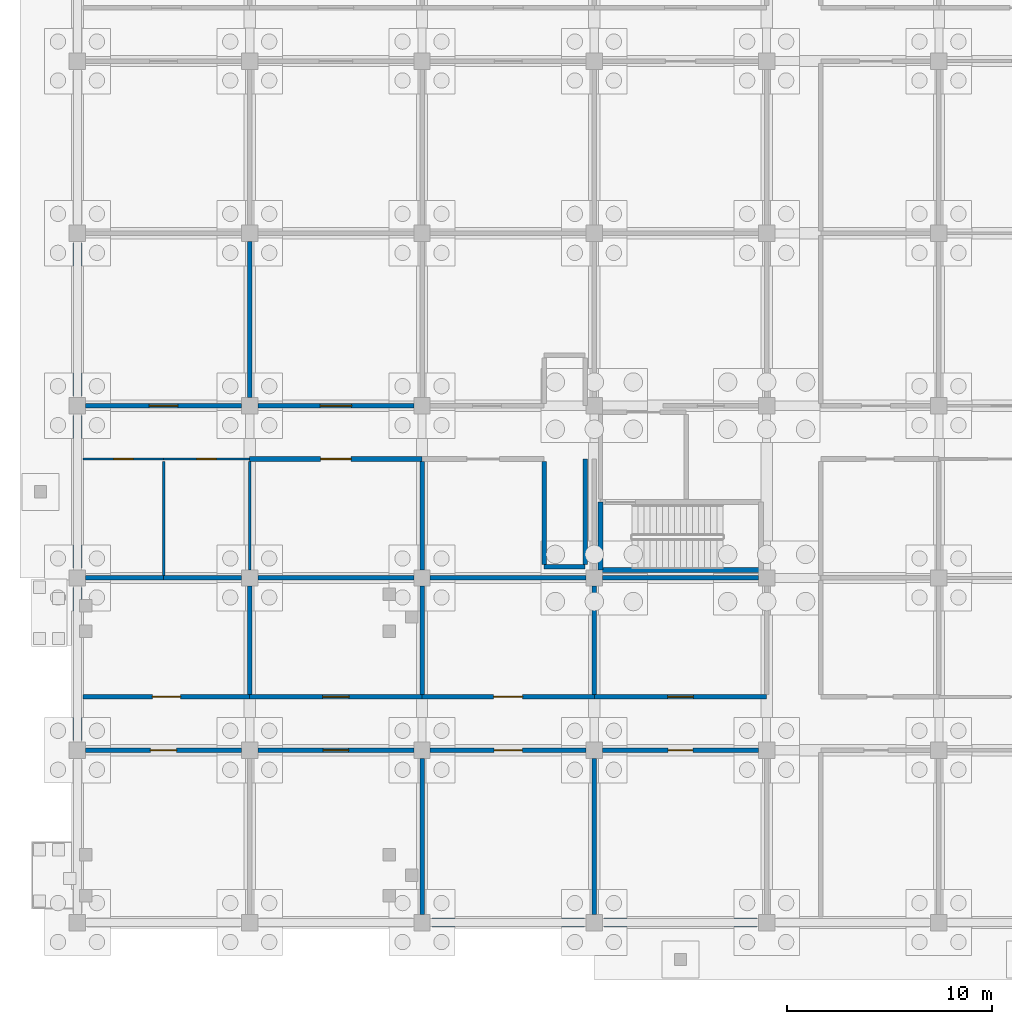
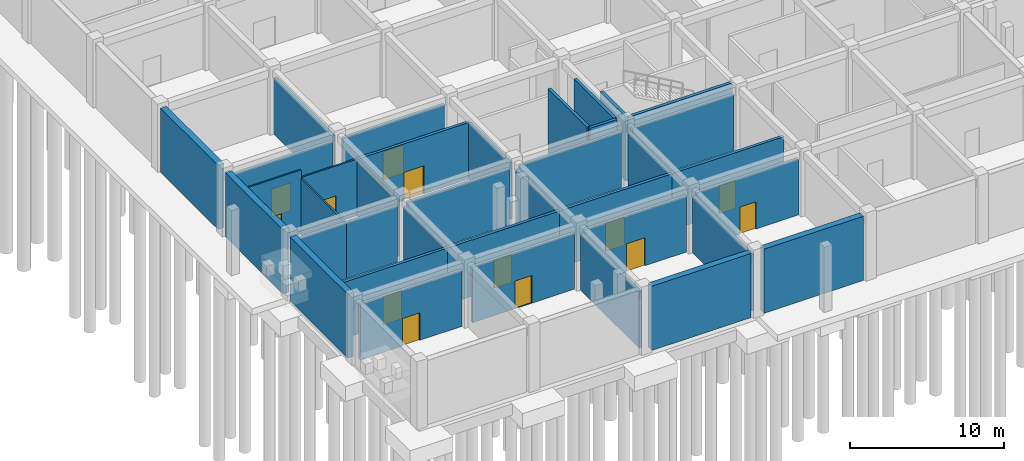
# One storey, part 27 of 65: 37 walls, 13 doors, 13 openings.
"""IFC4 building model written with IfcOpenShell, lengths in metres."""

from ifc_helpers import new_model, si_unit, direction, frame, frame_2d, origin, place, context, subcontext, project, spatial, rectangle, extrude, material, layer, layer_set, type_object, element, fill, save


model = new_model("IFC4")

# Units and contexts
model_context = context("Model", 3, precision=1e-05, world=origin(), true_north=direction((0.0, 1.0)))
body_context = subcontext(model_context, "Body", "Model", "MODEL_VIEW")
ifc_project = project(units=[si_unit("LENGTHUNIT", "METRE"), si_unit("AREAUNIT", "SQUARE_METRE"), si_unit("VOLUMEUNIT", "CUBIC_METRE"), si_unit("PLANEANGLEUNIT", "RADIAN"), si_unit("MASSUNIT", "GRAM", prefix="KILO")], contexts=[model_context])

# Site, building, storey
site_placement = place(None, origin())
site = spatial("IfcSite", under=ifc_project, at=site_placement, CompositionType="ELEMENT")
building_placement = place(site_placement, origin())
building = spatial("IfcBuilding", under=site, at=building_placement, Name="Bramfleet General Hospital", CompositionType="ELEMENT")
storey_placement = place(building_placement, frame((0.0, 0.0, -5.39990234375)))
storey = spatial("IfcBuildingStorey", under=building, at=storey_placement, Name="B1", CompositionType="ELEMENT", Elevation=-5.39990234375)

# Walls
ifc_material_1 = material(Name="Concrete C35/45", Category="concrete")
ifc_layer_1 = layer(ifc_material_1, 0.449951171875, Name="WT-EW-01")
ifc_layer_set_1 = layer_set([ifc_layer_1], Name="Concrete C35/45")
wall_type_1 = type_object("IfcWallType", Name="WT-EW-01", PredefinedType="SOLIDWALL", material=ifc_layer_set_1)
wall_1_placement = place(storey_placement, frame((33.125, 0.0, 0.0), z_axis=(0.0, 0.0, 1.0), x_axis=(-1.0, 0.0, 0.0)))
element("IfcWall", 1, at=wall_1_placement, inside=storey, type_object=wall_type_1, Name="B1 Waterproof Retaining Wall 86", PredefinedType="SOLIDWALL", context=body_context, shape_type="SweptSolid", body=[
    extrude(rectangle(XDim=7.449951171875, YDim=0.449951171875, at=frame_2d((3.72509765625, 0.0))), origin(), (0.0, 0.0, 1.0), 5.079833984375),
])
wall_2_placement = place(storey_placement, frame((24.72509765625, 0.0, 0.0), z_axis=(0.0, 0.0, 1.0), x_axis=(-1.0, 0.0, 0.0)))
element("IfcWall", 2, at=wall_2_placement, inside=storey, type_object=wall_type_1, Name="B1 Waterproof Retaining Wall 87", PredefinedType="SOLIDWALL", context=body_context, shape_type="SweptSolid", body=[
    extrude(rectangle(XDim=7.4501953125, YDim=0.449951171875, at=frame_2d((3.72509765625, 0.0))), origin(), (0.0, 0.0, 1.0), 5.079833984375),
])
wall_3_placement = place(storey_placement, frame((0.0, 8.875, 0.0), z_axis=(0.0, 0.0, 1.0), x_axis=(0.0, 1.0, 0.0)))
element("IfcWall", 3, at=wall_3_placement, inside=storey, type_object=wall_type_1, Name="B1 Waterproof Retaining Wall 91", PredefinedType="SOLIDWALL", context=body_context, shape_type="SweptSolid", body=[
    extrude(rectangle(XDim=7.449951171875, YDim=0.449951171875, at=frame_2d((3.72509765625, 0.0))), origin(), (0.0, 0.0, 1.0), 5.079833984375),
])
wall_4_placement = place(storey_placement, frame((0.0, 17.27490234375, 0.0), z_axis=(0.0, 0.0, 1.0), x_axis=(0.0, 1.0, 0.0)))
element("IfcWall", 4, at=wall_4_placement, inside=storey, type_object=wall_type_1, Name="B1 Waterproof Retaining Wall 92", PredefinedType="SOLIDWALL", context=body_context, shape_type="SweptSolid", body=[
    extrude(rectangle(XDim=7.4501953125, YDim=0.449951171875, at=frame_2d((3.72509765625, 0.0))), origin(), (0.0, 0.0, 1.0), 5.079833984375),
])
wall_5_placement = place(storey_placement, frame((0.0, 25.675048828125, 0.0), z_axis=(0.0, 0.0, 1.0), x_axis=(0.0, 1.0, 0.0)))
element("IfcWall", 5, at=wall_5_placement, inside=storey, type_object=wall_type_1, Name="B1 Waterproof Retaining Wall 93", PredefinedType="SOLIDWALL", context=body_context, shape_type="SweptSolid", body=[
    extrude(rectangle(XDim=7.449951171875, YDim=0.449951171875, at=frame_2d((3.72509765625, 0.0))), origin(), (0.0, 0.0, 1.0), 5.079833984375),
])

# Wall, opening, door
ifc_layer_2 = layer(ifc_material_1, 0.219970703125, Name="WT-IW-01")
ifc_layer_set_2 = layer_set([ifc_layer_2], Name="Concrete C35/45")
wall_type_2 = type_object("IfcWallType", Name="WT-IW-01", PredefinedType="PARTITIONING", material=ifc_layer_set_2)
wall_6_placement = place(storey_placement, frame((0.39501953125, 8.39990234375, 0.0), z_axis=(0.0, 0.0, 1.0), x_axis=(1.0, 0.0, 0.0)))
wall_6 = element("IfcWall", 6, at=wall_6_placement, inside=storey, type_object=wall_type_2, Name="B1 Interior Partition IW-B1-0001", PredefinedType="PARTITIONING", context=body_context, shape_type="SweptSolid", body=[
    extrude(rectangle(XDim=7.60986328125, YDim=0.219970703125, at=frame_2d((3.804931640625, 0.0))), origin(), (0.0, 0.0, 1.0), 4.419921875),
])
opening_1_placement = place(wall_6_placement, frame((3.1650390625, 0.0, 0.0)))
opening_1 = element("IfcOpeningElement", 7, at=opening_1_placement, cuts=wall_6, Name="Opening D0189", PredefinedType="OPENING", context=body_context, shape_type="SweptSolid", body=[
    extrude(rectangle(XDim=1.280029296875, YDim=2.179931640625, at=frame_2d((0.64013671875, 1.08984375))), frame((0.0, 0.119873046875, 0.0), z_axis=(0.0, -1.0, 0.0), x_axis=(1.0, 0.0, 0.0)), (0.0, 0.0, 1.0), 0.239990234375),
])
ifc_material_2 = material(Name="Stainless steel and acoustic timber leaf", Category="steel")
door_type_1 = type_object("IfcDoorType", Name="DR-D-29", OperationType="NOTDEFINED", PredefinedType="DOOR", material=ifc_material_2)
door_1_placement = place(opening_1_placement, origin())
door_1 = element("IfcDoor", 8, at=door_1_placement, inside=storey, type_object=door_type_1, Name="Standby Power Plant and Switchgear B1-0000 Door D0189", OperationType="SINGLE_SWING_RIGHT", OverallHeight=2.179931640625, OverallWidth=1.280029296875, PredefinedType="DOOR", context=body_context, shape_type="SweptSolid", body=[
    extrude(rectangle(XDim=1.280029296875, YDim=2.179931640625, at=frame_2d((0.64013671875, 1.08984375))), frame((0.0, 0.02490234375, 0.0), z_axis=(0.0, -1.0, 0.0), x_axis=(1.0, 0.0, 0.0)), (0.0, 0.0, 1.0), 0.050048828125),
])
fill(opening_1, door_1)

wall_7_placement = place(storey_placement, frame((8.794921875, 8.39990234375, 0.0), z_axis=(0.0, 0.0, 1.0), x_axis=(1.0, 0.0, 0.0)))
wall_7 = element("IfcWall", 9, at=wall_7_placement, inside=storey, type_object=wall_type_2, Name="B1 Interior Partition IW-B1-0002", PredefinedType="PARTITIONING", context=body_context, shape_type="SweptSolid", body=[
    extrude(rectangle(XDim=7.610107421875, YDim=0.219970703125, at=frame_2d((3.80517578125, 0.0))), origin(), (0.0, 0.0, 1.0), 4.419921875),
])
opening_2_placement = place(wall_7_placement, frame((3.179931640625, 0.0, 0.0)))
opening_2 = element("IfcOpeningElement", 10, at=opening_2_placement, cuts=wall_7, Name="Opening D0206", PredefinedType="OPENING", context=body_context, shape_type="SweptSolid", body=[
    extrude(rectangle(XDim=1.25, YDim=2.199951171875, at=frame_2d((0.625, 1.10009765625))), frame((0.0, 0.119873046875, 0.0), z_axis=(0.0, -1.0, 0.0), x_axis=(1.0, 0.0, 0.0)), (0.0, 0.0, 1.0), 0.239990234375),
])
door_type_2 = type_object("IfcDoorType", Name="DR-D-14", OperationType="NOTDEFINED", PredefinedType="DOOR", material=ifc_material_2)
door_2_placement = place(opening_2_placement, origin())
door_2 = element("IfcDoor", 11, at=door_2_placement, inside=storey, type_object=door_type_2, Name="Standby Power Plant and Switchgear B1-0100 Door D0206", OperationType="SINGLE_SWING_LEFT", OverallHeight=2.199951171875, OverallWidth=1.25, PredefinedType="DOOR", context=body_context, shape_type="SweptSolid", body=[
    extrude(rectangle(XDim=1.25, YDim=2.199951171875, at=frame_2d((0.625, 1.10009765625))), frame((0.0, 0.02490234375, 0.0), z_axis=(0.0, -1.0, 0.0), x_axis=(1.0, 0.0, 0.0)), (0.0, 0.0, 1.0), 0.050048828125),
])
fill(opening_2, door_2)

wall_8_placement = place(storey_placement, frame((17.195068359375, 8.39990234375, 0.0), z_axis=(0.0, 0.0, 1.0), x_axis=(1.0, 0.0, 0.0)))
wall_8 = element("IfcWall", 12, at=wall_8_placement, inside=storey, type_object=wall_type_2, Name="B1 Interior Partition IW-B1-0003", PredefinedType="PARTITIONING", context=body_context, shape_type="SweptSolid", body=[
    extrude(rectangle(XDim=7.60986328125, YDim=0.219970703125, at=frame_2d((3.804931640625, 0.0))), origin(), (0.0, 0.0, 1.0), 4.419921875),
])
opening_3_placement = place(wall_8_placement, frame((3.114990234375, 0.0, 0.0)))
opening_3 = element("IfcOpeningElement", 13, at=opening_3_placement, cuts=wall_8, Name="Opening D0222", PredefinedType="OPENING", context=body_context, shape_type="SweptSolid", body=[
    extrude(rectangle(XDim=1.3798828125, YDim=2.219970703125, at=frame_2d((0.68994140625, 1.10986328125))), frame((0.0, 0.119873046875, 0.0), z_axis=(0.0, -1.0, 0.0), x_axis=(1.0, 0.0, 0.0)), (0.0, 0.0, 1.0), 0.239990234375),
])
door_type_3 = type_object("IfcDoorType", Name="DR-D-30", OperationType="NOTDEFINED", PredefinedType="DOOR", material=ifc_material_2)
door_3_placement = place(opening_3_placement, origin())
door_3 = element("IfcDoor", 14, at=door_3_placement, inside=storey, type_object=door_type_3, Name="Standby Power Plant and Switchgear B1-0200 Door D0222", OperationType="SINGLE_SWING_LEFT", OverallHeight=2.219970703125, OverallWidth=1.3798828125, PredefinedType="DOOR", context=body_context, shape_type="SweptSolid", body=[
    extrude(rectangle(XDim=1.3798828125, YDim=2.219970703125, at=frame_2d((0.68994140625, 1.10986328125))), frame((0.0, 0.02490234375, 0.0), z_axis=(0.0, -1.0, 0.0), x_axis=(1.0, 0.0, 0.0)), (0.0, 0.0, 1.0), 0.050048828125),
])
fill(opening_3, door_3)

wall_9_placement = place(storey_placement, frame((25.594970703125, 8.39990234375, 0.0), z_axis=(0.0, 0.0, 1.0), x_axis=(1.0, 0.0, 0.0)))
wall_9 = element("IfcWall", 15, at=wall_9_placement, inside=storey, type_object=wall_type_2, Name="B1 Interior Partition IW-B1-0004", PredefinedType="PARTITIONING", context=body_context, shape_type="SweptSolid", body=[
    extrude(rectangle(XDim=7.610107421875, YDim=0.219970703125, at=frame_2d((3.80517578125, 0.0))), origin(), (0.0, 0.0, 1.0), 4.419921875),
])
opening_4_placement = place(wall_9_placement, frame((3.205078125, 0.0, 0.0)))
opening_4 = element("IfcOpeningElement", 16, at=opening_4_placement, cuts=wall_9, Name="Opening D0237", PredefinedType="OPENING", context=body_context, shape_type="SweptSolid", body=[
    extrude(rectangle(XDim=1.199951171875, YDim=2.14990234375, at=frame_2d((0.60009765625, 1.074951171875))), frame((0.0, 0.119873046875, 0.0), z_axis=(0.0, -1.0, 0.0), x_axis=(1.0, 0.0, 0.0)), (0.0, 0.0, 1.0), 0.239990234375),
])
door_type_4 = type_object("IfcDoorType", Name="DR-D-13", OperationType="NOTDEFINED", PredefinedType="DOOR", material=ifc_material_2)
door_4_placement = place(opening_4_placement, origin())
door_4 = element("IfcDoor", 17, at=door_4_placement, inside=storey, type_object=door_type_4, Name="Standby Power Plant and Switchgear B1-0300 Door D0237", OperationType="SINGLE_SWING_RIGHT", OverallHeight=2.14990234375, OverallWidth=1.199951171875, PredefinedType="DOOR", context=body_context, shape_type="SweptSolid", body=[
    extrude(rectangle(XDim=1.199951171875, YDim=2.14990234375, at=frame_2d((0.60009765625, 1.074951171875))), frame((0.0, 0.02490234375, 0.0), z_axis=(0.0, -1.0, 0.0), x_axis=(1.0, 0.0, 0.0)), (0.0, 0.0, 1.0), 0.050048828125),
])
fill(opening_4, door_4)

wall_10_placement = place(storey_placement, frame((0.280029296875, 11.0, 0.0), z_axis=(0.0, 0.0, 1.0), x_axis=(1.0, 0.0, 0.0)))
wall_10 = element("IfcWall", 18, at=wall_10_placement, inside=storey, type_object=wall_type_2, Name="B1 Interior Partition IW-B1-0027", PredefinedType="PARTITIONING", context=body_context, shape_type="SweptSolid", body=[
    extrude(rectangle(XDim=8.119873046875, YDim=0.219970703125, at=frame_2d((4.06005859375, 0.0))), origin(), (0.0, 0.0, 1.0), 4.469970703125),
])
opening_5_placement = place(wall_10_placement, frame((3.3701171875, 0.0, 0.0)))
opening_5 = element("IfcOpeningElement", 19, at=opening_5_placement, cuts=wall_10, Name="Opening D0190", PredefinedType="OPENING", context=body_context, shape_type="SweptSolid", body=[
    extrude(rectangle(XDim=1.3798828125, YDim=2.219970703125, at=frame_2d((0.68994140625, 1.10986328125))), frame((0.0, 0.119873046875, 0.0), z_axis=(0.0, -1.0, 0.0), x_axis=(1.0, 0.0, 0.0)), (0.0, 0.0, 1.0), 0.239990234375),
])
door_5_placement = place(opening_5_placement, origin())
door_5 = element("IfcDoor", 20, at=door_5_placement, inside=storey, type_object=door_type_3, Name="Standby Power Plant and Switchgear B1-0001 Door D0190", OperationType="SINGLE_SWING_LEFT", OverallHeight=2.219970703125, OverallWidth=1.3798828125, PredefinedType="DOOR", context=body_context, shape_type="SweptSolid", body=[
    extrude(rectangle(XDim=1.3798828125, YDim=2.219970703125, at=frame_2d((0.68994140625, 1.10986328125))), frame((0.0, 0.02490234375, 0.0), z_axis=(0.0, -1.0, 0.0), x_axis=(1.0, 0.0, 0.0)), (0.0, 0.0, 1.0), 0.050048828125),
])
fill(opening_5, door_5)

wall_11_placement = place(storey_placement, frame((8.39990234375, 11.0, 0.0), z_axis=(0.0, 0.0, 1.0), x_axis=(1.0, 0.0, 0.0)))
wall_11 = element("IfcWall", 21, at=wall_11_placement, inside=storey, type_object=wall_type_2, Name="B1 Interior Partition IW-B1-0028", PredefinedType="PARTITIONING", context=body_context, shape_type="SweptSolid", body=[
    extrude(rectangle(XDim=8.400146484375, YDim=0.219970703125, at=frame_2d((4.2001953125, 0.0))), origin(), (0.0, 0.0, 1.0), 4.469970703125),
])
opening_6_placement = place(wall_11_placement, frame((3.550048828125, 0.0, 0.0)))
opening_6 = element("IfcOpeningElement", 22, at=opening_6_placement, cuts=wall_11, Name="Opening D0207", PredefinedType="OPENING", context=body_context, shape_type="SweptSolid", body=[
    extrude(rectangle(XDim=1.300048828125, YDim=2.199951171875, at=frame_2d((0.64990234375, 1.10009765625))), frame((0.0, 0.119873046875, 0.0), z_axis=(0.0, -1.0, 0.0), x_axis=(1.0, 0.0, 0.0)), (0.0, 0.0, 1.0), 0.239990234375),
])
door_type_5 = type_object("IfcDoorType", Name="DR-D-15", OperationType="NOTDEFINED", PredefinedType="DOOR", material=ifc_material_2)
door_6_placement = place(opening_6_placement, origin())
door_6 = element("IfcDoor", 23, at=door_6_placement, inside=storey, type_object=door_type_5, Name="Standby Power Plant and Switchgear B1-0101 Door D0207", OperationType="SINGLE_SWING_RIGHT", OverallHeight=2.199951171875, OverallWidth=1.300048828125, PredefinedType="DOOR", context=body_context, shape_type="SweptSolid", body=[
    extrude(rectangle(XDim=1.300048828125, YDim=2.199951171875, at=frame_2d((0.64990234375, 1.10009765625))), frame((0.0, 0.02490234375, 0.0), z_axis=(0.0, -1.0, 0.0), x_axis=(1.0, 0.0, 0.0)), (0.0, 0.0, 1.0), 0.050048828125),
])
fill(opening_6, door_6)

wall_12_placement = place(storey_placement, frame((16.800048828125, 11.0, 0.0), z_axis=(0.0, 0.0, 1.0), x_axis=(1.0, 0.0, 0.0)))
wall_12 = element("IfcWall", 24, at=wall_12_placement, inside=storey, type_object=wall_type_2, Name="B1 Interior Partition IW-B1-0029", PredefinedType="PARTITIONING", context=body_context, shape_type="SweptSolid", body=[
    extrude(rectangle(XDim=8.39990234375, YDim=0.219970703125, at=frame_2d((4.199951171875, 0.0))), origin(), (0.0, 0.0, 1.0), 4.469970703125),
])
opening_7_placement = place(wall_12_placement, frame((3.489990234375, 0.0, 0.0)))
opening_7 = element("IfcOpeningElement", 25, at=opening_7_placement, cuts=wall_12, Name="Opening D0223", PredefinedType="OPENING", context=body_context, shape_type="SweptSolid", body=[
    extrude(rectangle(XDim=1.419921875, YDim=2.219970703125, at=frame_2d((0.7099609375, 1.10986328125))), frame((0.0, 0.119873046875, 0.0), z_axis=(0.0, -1.0, 0.0), x_axis=(1.0, 0.0, 0.0)), (0.0, 0.0, 1.0), 0.239990234375),
])
door_type_6 = type_object("IfcDoorType", Name="DR-D-31", OperationType="NOTDEFINED", PredefinedType="DOOR", material=ifc_material_2)
door_7_placement = place(opening_7_placement, origin())
door_7 = element("IfcDoor", 26, at=door_7_placement, inside=storey, type_object=door_type_6, Name="Standby Power Plant and Switchgear B1-0201 Door D0223", OperationType="SINGLE_SWING_RIGHT", OverallHeight=2.219970703125, OverallWidth=1.419921875, PredefinedType="DOOR", context=body_context, shape_type="SweptSolid", body=[
    extrude(rectangle(XDim=1.419921875, YDim=2.219970703125, at=frame_2d((0.7099609375, 1.10986328125))), frame((0.0, 0.02490234375, 0.0), z_axis=(0.0, -1.0, 0.0), x_axis=(1.0, 0.0, 0.0)), (0.0, 0.0, 1.0), 0.050048828125),
])
fill(opening_7, door_7)

wall_13_placement = place(storey_placement, frame((25.199951171875, 11.0, 0.0), z_axis=(0.0, 0.0, 1.0), x_axis=(1.0, 0.0, 0.0)))
wall_13 = element("IfcWall", 27, at=wall_13_placement, inside=storey, type_object=wall_type_2, Name="B1 Interior Partition IW-B1-0030", PredefinedType="PARTITIONING", context=body_context, shape_type="SweptSolid", body=[
    extrude(rectangle(XDim=8.400146484375, YDim=0.219970703125, at=frame_2d((4.2001953125, 0.0))), origin(), (0.0, 0.0, 1.0), 4.469970703125),
])
opening_8_placement = place(wall_13_placement, frame((3.574951171875, 0.0, 0.0)))
opening_8 = element("IfcOpeningElement", 28, at=opening_8_placement, cuts=wall_13, Name="Opening D0238", PredefinedType="OPENING", context=body_context, shape_type="SweptSolid", body=[
    extrude(rectangle(XDim=1.25, YDim=2.199951171875, at=frame_2d((0.625, 1.10009765625))), frame((0.0, 0.119873046875, 0.0), z_axis=(0.0, -1.0, 0.0), x_axis=(1.0, 0.0, 0.0)), (0.0, 0.0, 1.0), 0.239990234375),
])
door_8_placement = place(opening_8_placement, origin())
door_8 = element("IfcDoor", 29, at=door_8_placement, inside=storey, type_object=door_type_2, Name="Standby Power Plant and Switchgear B1-0301 Door D0238", OperationType="SINGLE_SWING_LEFT", OverallHeight=2.199951171875, OverallWidth=1.25, PredefinedType="DOOR", context=body_context, shape_type="SweptSolid", body=[
    extrude(rectangle(XDim=1.25, YDim=2.199951171875, at=frame_2d((0.625, 1.10009765625))), frame((0.0, 0.02490234375, 0.0), z_axis=(0.0, -1.0, 0.0), x_axis=(1.0, 0.0, 0.0)), (0.0, 0.0, 1.0), 0.050048828125),
])
fill(opening_8, door_8)

# Walls
for number, where, z_axis, x_axis, name in (
    (30, (0.39501953125, 16.800048828125, 0.0), (0.0, 0.0, 1.0), (1.0, 0.0, 0.0), "B1 Interior Partition IW-B1-0049"),
    (31, (4.199951171875, 16.800048828125, 0.0), (0.0, 0.0, 1.0), (1.0, 0.0, 0.0), "B1 Interior Partition IW-B1-0050"),
):
    element("IfcWall", number, at=place(storey_placement, frame(where, z_axis=z_axis, x_axis=x_axis)), inside=storey, type_object=wall_type_2, Name=name, PredefinedType="PARTITIONING", context=body_context, shape_type="SweptSolid", body=[
        extrude(rectangle(XDim=3.804931640625, YDim=0.219970703125, at=frame_2d((1.90234375, 0.0))), origin(), (0.0, 0.0, 1.0), 4.419921875),
    ])
wall_14_placement = place(storey_placement, frame((8.794921875, 16.800048828125, 0.0), z_axis=(0.0, 0.0, 1.0), x_axis=(1.0, 0.0, 0.0)))
element("IfcWall", 32, at=wall_14_placement, inside=storey, type_object=wall_type_2, Name="B1 Interior Partition IW-B1-0051", PredefinedType="PARTITIONING", context=body_context, shape_type="SweptSolid", body=[
    extrude(rectangle(XDim=7.610107421875, YDim=0.219970703125, at=frame_2d((3.80517578125, 0.0))), origin(), (0.0, 0.0, 1.0), 4.419921875),
])
wall_15_placement = place(storey_placement, frame((17.195068359375, 16.800048828125, 0.0), z_axis=(0.0, 0.0, 1.0), x_axis=(1.0, 0.0, 0.0)))
element("IfcWall", 33, at=wall_15_placement, inside=storey, type_object=wall_type_2, Name="B1 Interior Partition IW-B1-0052", PredefinedType="PARTITIONING", context=body_context, shape_type="SweptSolid", body=[
    extrude(rectangle(XDim=7.60986328125, YDim=0.219970703125, at=frame_2d((3.804931640625, 0.0))), origin(), (0.0, 0.0, 1.0), 4.419921875),
])
wall_16_placement = place(storey_placement, frame((25.594970703125, 16.800048828125, 0.0), z_axis=(0.0, 0.0, 1.0), x_axis=(1.0, 0.0, 0.0)))
element("IfcWall", 34, at=wall_16_placement, inside=storey, type_object=wall_type_2, Name="B1 Interior Partition IW-B1-0053", PredefinedType="PARTITIONING", context=body_context, shape_type="SweptSolid", body=[
    extrude(rectangle(XDim=7.610107421875, YDim=0.219970703125, at=frame_2d((3.80517578125, 0.0))), origin(), (0.0, 0.0, 1.0), 4.419921875),
])
wall_17_placement = place(storey_placement, frame((22.75, 17.35009765625, 0.0), z_axis=(0.0, 0.0, 1.0), x_axis=(1.0, 0.0, 0.0)))
element("IfcWall", 35, at=wall_17_placement, inside=storey, type_object=wall_type_2, Name="B1 Interior Partition IW-B1-0074", PredefinedType="PARTITIONING", context=body_context, shape_type="SweptSolid", body=[
    extrude(rectangle(XDim=2.0, YDim=0.219970703125, at=frame_2d((1.0, 0.0))), origin(), (0.0, 0.0, 1.0), 5.06982421875),
])

# Wall, opening, door
wall_18_placement = place(storey_placement, frame((8.39990234375, 22.60009765625, 0.0), z_axis=(0.0, 0.0, 1.0), x_axis=(1.0, 0.0, 0.0)))
wall_18 = element("IfcWall", 36, at=wall_18_placement, inside=storey, type_object=wall_type_2, Name="B1 Interior Partition IW-B1-0081", PredefinedType="PARTITIONING", context=body_context, shape_type="SweptSolid", body=[
    extrude(rectangle(XDim=8.400146484375, YDim=0.219970703125, at=frame_2d((4.2001953125, 0.0))), origin(), (0.0, 0.0, 1.0), 4.469970703125),
])
opening_9_placement = place(wall_18_placement, frame((3.4599609375, 0.0, 0.0)))
opening_9 = element("IfcOpeningElement", 37, at=opening_9_placement, cuts=wall_18, Name="Opening D0208", PredefinedType="OPENING", context=body_context, shape_type="SweptSolid", body=[
    extrude(rectangle(XDim=1.47998046875, YDim=2.219970703125, at=frame_2d((0.739990234375, 1.10986328125))), frame((0.0, 0.119873046875, 0.0), z_axis=(0.0, -1.0, 0.0), x_axis=(1.0, 0.0, 0.0)), (0.0, 0.0, 1.0), 0.239990234375),
])
door_type_7 = type_object("IfcDoorType", Name="DR-D-16", OperationType="NOTDEFINED", PredefinedType="DOOR", material=ifc_material_2)
door_9_placement = place(opening_9_placement, origin())
door_9 = element("IfcDoor", 38, at=door_9_placement, inside=storey, type_object=door_type_7, Name="Standby Power Plant and Switchgear B1-0102 Door D0208", OperationType="SINGLE_SWING_LEFT", OverallHeight=2.219970703125, OverallWidth=1.47998046875, PredefinedType="DOOR", context=body_context, shape_type="SweptSolid", body=[
    extrude(rectangle(XDim=1.47998046875, YDim=2.219970703125, at=frame_2d((0.739990234375, 1.10986328125))), frame((0.0, 0.02490234375, 0.0), z_axis=(0.0, -1.0, 0.0), x_axis=(1.0, 0.0, 0.0)), (0.0, 0.0, 1.0), 0.050048828125),
])
fill(opening_9, door_9)

wall_19_placement = place(storey_placement, frame((0.39501953125, 25.199951171875, 0.0), z_axis=(0.0, 0.0, 1.0), x_axis=(1.0, 0.0, 0.0)))
wall_19 = element("IfcWall", 39, at=wall_19_placement, inside=storey, type_object=wall_type_2, Name="B1 Interior Partition IW-B1-0100", PredefinedType="PARTITIONING", context=body_context, shape_type="SweptSolid", body=[
    extrude(rectangle(XDim=7.60986328125, YDim=0.219970703125, at=frame_2d((3.804931640625, 0.0))), origin(), (0.0, 0.0, 1.0), 4.419921875),
])
opening_10_placement = place(wall_19_placement, frame((3.10498046875, 0.0, 0.0)))
opening_10 = element("IfcOpeningElement", 40, at=opening_10_placement, cuts=wall_19, Name="Opening D0193", PredefinedType="OPENING", context=body_context, shape_type="SweptSolid", body=[
    extrude(rectangle(XDim=1.39990234375, YDim=2.199951171875, at=frame_2d((0.699951171875, 1.10009765625))), frame((0.0, 0.119873046875, 0.0), z_axis=(0.0, -1.0, 0.0), x_axis=(1.0, 0.0, 0.0)), (0.0, 0.0, 1.0), 0.239990234375),
])
door_type_8 = type_object("IfcDoorType", Name="DR-D-01", OperationType="NOTDEFINED", PredefinedType="DOOR", material=ifc_material_2)
door_10_placement = place(opening_10_placement, origin())
door_10 = element("IfcDoor", 41, at=door_10_placement, inside=storey, type_object=door_type_8, Name="Standby Power Plant and Switchgear B1-0003 Door D0193", OperationType="SINGLE_SWING_RIGHT", OverallHeight=2.199951171875, OverallWidth=1.39990234375, PredefinedType="DOOR", context=body_context, shape_type="SweptSolid", body=[
    extrude(rectangle(XDim=1.39990234375, YDim=2.199951171875, at=frame_2d((0.699951171875, 1.10009765625))), frame((0.0, 0.02490234375, 0.0), z_axis=(0.0, -1.0, 0.0), x_axis=(1.0, 0.0, 0.0)), (0.0, 0.0, 1.0), 0.050048828125),
])
fill(opening_10, door_10)

wall_20_placement = place(storey_placement, frame((8.794921875, 25.199951171875, 0.0), z_axis=(0.0, 0.0, 1.0), x_axis=(1.0, 0.0, 0.0)))
wall_20 = element("IfcWall", 42, at=wall_20_placement, inside=storey, type_object=wall_type_2, Name="B1 Interior Partition IW-B1-0101", PredefinedType="PARTITIONING", context=body_context, shape_type="SweptSolid", body=[
    extrude(rectangle(XDim=7.610107421875, YDim=0.219970703125, at=frame_2d((3.80517578125, 0.0))), origin(), (0.0, 0.0, 1.0), 4.419921875),
])
opening_11_placement = place(wall_20_placement, frame((3.034912109375, 0.0, 0.0)))
opening_11 = element("IfcOpeningElement", 43, at=opening_11_placement, cuts=wall_20, Name="Opening D0209", PredefinedType="OPENING", context=body_context, shape_type="SweptSolid", body=[
    extrude(rectangle(XDim=1.5400390625, YDim=2.239990234375, at=frame_2d((0.77001953125, 1.1201171875))), frame((0.0, 0.119873046875, 0.0), z_axis=(0.0, -1.0, 0.0), x_axis=(1.0, 0.0, 0.0)), (0.0, 0.0, 1.0), 0.239990234375),
])
door_type_9 = type_object("IfcDoorType", Name="DR-D-17", OperationType="NOTDEFINED", PredefinedType="DOOR", material=ifc_material_2)
door_11_placement = place(opening_11_placement, origin())
door_11 = element("IfcDoor", 44, at=door_11_placement, inside=storey, type_object=door_type_9, Name="Standby Power Plant and Switchgear B1-0103 Door D0209", OperationType="SINGLE_SWING_RIGHT", OverallHeight=2.239990234375, OverallWidth=1.5400390625, PredefinedType="DOOR", context=body_context, shape_type="SweptSolid", body=[
    extrude(rectangle(XDim=1.5400390625, YDim=2.239990234375, at=frame_2d((0.77001953125, 1.1201171875))), frame((0.0, 0.02490234375, 0.0), z_axis=(0.0, -1.0, 0.0), x_axis=(1.0, 0.0, 0.0)), (0.0, 0.0, 1.0), 0.050048828125),
])
fill(opening_11, door_11)

# Walls
wall_21_placement = place(storey_placement, frame((8.39990234375, 11.114990234375, 0.0), z_axis=(0.0, 0.0, 1.0), x_axis=(0.0, 1.0, 0.0)))
element("IfcWall", 45, at=wall_21_placement, inside=storey, type_object=wall_type_2, Name="B1 Interior Partition IW-B1-0330", PredefinedType="PARTITIONING", context=body_context, shape_type="SweptSolid", body=[
    extrude(rectangle(XDim=5.2900390625, YDim=0.219970703125, at=frame_2d((2.64501953125, 0.0))), origin(), (0.0, 0.0, 1.0), 4.469970703125),
])
wall_22_placement = place(storey_placement, frame((8.39990234375, 25.594970703125, 0.0), z_axis=(0.0, 0.0, 1.0), x_axis=(0.0, 1.0, 0.0)))
element("IfcWall", 46, at=wall_22_placement, inside=storey, type_object=wall_type_2, Name="B1 Interior Partition IW-B1-0332", PredefinedType="PARTITIONING", context=body_context, shape_type="SweptSolid", body=[
    extrude(rectangle(XDim=7.610107421875, YDim=0.219970703125, at=frame_2d((3.80517578125, 0.0))), origin(), (0.0, 0.0, 1.0), 4.469970703125),
])
wall_23_placement = place(storey_placement, frame((16.800048828125, 0.39501953125, 0.0), z_axis=(0.0, 0.0, 1.0), x_axis=(0.0, 1.0, 0.0)))
element("IfcWall", 47, at=wall_23_placement, inside=storey, type_object=wall_type_2, Name="B1 Interior Partition IW-B1-0347", PredefinedType="PARTITIONING", context=body_context, shape_type="SweptSolid", body=[
    extrude(rectangle(XDim=7.60986328125, YDim=0.219970703125, at=frame_2d((3.804931640625, 0.0))), origin(), (0.0, 0.0, 1.0), 4.469970703125),
])
for number, where, z_axis, x_axis, name in (
    (48, (16.800048828125, 11.114990234375, 0.0), (0.0, 0.0, 1.0), (0.0, 1.0, 0.0), "B1 Interior Partition IW-B1-0348"),
    (49, (16.800048828125, 17.195068359375, 0.0), (0.0, 0.0, 1.0), (0.0, 1.0, 0.0), "B1 Interior Partition IW-B1-0349"),
):
    element("IfcWall", number, at=place(storey_placement, frame(where, z_axis=z_axis, x_axis=x_axis)), inside=storey, type_object=wall_type_2, Name=name, PredefinedType="PARTITIONING", context=body_context, shape_type="SweptSolid", body=[
        extrude(rectangle(XDim=5.2900390625, YDim=0.219970703125, at=frame_2d((2.64501953125, 0.0))), origin(), (0.0, 0.0, 1.0), 4.469970703125),
    ])
wall_24_placement = place(storey_placement, frame((22.75, 17.465087890625, 0.0), z_axis=(0.0, 0.0, 1.0), x_axis=(0.0, 1.0, 0.0)))
element("IfcWall", 50, at=wall_24_placement, inside=storey, type_object=wall_type_2, Name="B1 Interior Partition IW-B1-0363", PredefinedType="PARTITIONING", context=body_context, shape_type="SweptSolid", body=[
    extrude(rectangle(XDim=5.02001953125, YDim=0.219970703125, at=frame_2d((2.510009765625, 0.0))), origin(), (0.0, 0.0, 1.0), 5.06982421875),
])
wall_25_placement = place(storey_placement, frame((24.75, 17.465087890625, 0.0), z_axis=(0.0, 0.0, 1.0), x_axis=(0.0, 1.0, 0.0)))
element("IfcWall", 51, at=wall_25_placement, inside=storey, type_object=wall_type_2, Name="B1 Interior Partition IW-B1-0365", PredefinedType="PARTITIONING", context=body_context, shape_type="SweptSolid", body=[
    extrude(rectangle(XDim=5.135009765625, YDim=0.219970703125, at=frame_2d((2.5673828125, 0.0))), origin(), (0.0, 0.0, 1.0), 5.06982421875),
])
wall_26_placement = place(storey_placement, frame((25.199951171875, 0.39501953125, 0.0), z_axis=(0.0, 0.0, 1.0), x_axis=(0.0, 1.0, 0.0)))
element("IfcWall", 52, at=wall_26_placement, inside=storey, type_object=wall_type_2, Name="B1 Interior Partition IW-B1-0367", PredefinedType="PARTITIONING", context=body_context, shape_type="SweptSolid", body=[
    extrude(rectangle(XDim=7.60986328125, YDim=0.219970703125, at=frame_2d((3.804931640625, 0.0))), origin(), (0.0, 0.0, 1.0), 4.469970703125),
])
wall_27_placement = place(storey_placement, frame((25.199951171875, 11.114990234375, 0.0), z_axis=(0.0, 0.0, 1.0), x_axis=(0.0, 1.0, 0.0)))
element("IfcWall", 53, at=wall_27_placement, inside=storey, type_object=wall_type_2, Name="B1 Interior Partition IW-B1-0368", PredefinedType="PARTITIONING", context=body_context, shape_type="SweptSolid", body=[
    extrude(rectangle(XDim=5.2900390625, YDim=0.219970703125, at=frame_2d((2.64501953125, 0.0))), origin(), (0.0, 0.0, 1.0), 4.469970703125),
])

# Wall, opening, door
ifc_material_3 = material(Name="Gypsum plasterboard on acoustic steel studs", Category="steel")
ifc_layer_3 = layer(ifc_material_3, 0.1201171875, Name="WT-IW-10")
ifc_layer_set_3 = layer_set([ifc_layer_3], Name="Gypsum plasterboard on acoustic steel studs")
wall_type_3 = type_object("IfcWallType", Name="WT-IW-10", PredefinedType="PARTITIONING", material=ifc_layer_set_3)
wall_28_placement = place(storey_placement, frame((0.280029296875, 22.60009765625, 0.0), z_axis=(0.0, 0.0, 1.0), x_axis=(1.0, 0.0, 0.0)))
wall_28 = element("IfcWall", 54, at=wall_28_placement, inside=storey, type_object=wall_type_3, Name="B1 Interior Partition IW-B1-0079", PredefinedType="PARTITIONING", context=body_context, shape_type="SweptSolid", body=[
    extrude(rectangle(XDim=3.919921875, YDim=0.1201171875, at=frame_2d((1.9599609375, 0.0))), origin(), (0.0, 0.0, 1.0), 5.06982421875),
])
opening_12_placement = place(wall_28_placement, frame((1.485107421875, 0.0, 0.0)))
opening_12 = element("IfcOpeningElement", 55, at=opening_12_placement, cuts=wall_28, Name="Opening D0191", PredefinedType="OPENING", context=body_context, shape_type="SweptSolid", body=[
    extrude(rectangle(XDim=0.949951171875, YDim=2.10009765625, at=frame_2d((0.47509765625, 1.050048828125))), frame((0.0, 0.070068359375, 0.0), z_axis=(0.0, -1.0, 0.0), x_axis=(1.0, 0.0, 0.0)), (0.0, 0.0, 1.0), 0.14013671875),
])
door_type_10 = type_object("IfcDoorType", Name="DR-D-10", OperationType="NOTDEFINED", PredefinedType="DOOR", material=ifc_material_2)
door_12_placement = place(opening_12_placement, origin())
door_12 = element("IfcDoor", 56, at=door_12_placement, inside=storey, type_object=door_type_10, Name="Basement Accessible WC Door D0191", OperationType="SINGLE_SWING_LEFT", OverallHeight=2.10009765625, OverallWidth=0.949951171875, PredefinedType="DOOR", context=body_context, shape_type="SweptSolid", body=[
    extrude(rectangle(XDim=0.949951171875, YDim=2.10009765625, at=frame_2d((0.47509765625, 1.050048828125))), frame((0.0, 0.02490234375, 0.0), z_axis=(0.0, -1.0, 0.0), x_axis=(1.0, 0.0, 0.0)), (0.0, 0.0, 1.0), 0.050048828125),
])
fill(opening_12, door_12)

wall_29_placement = place(storey_placement, frame((4.199951171875, 22.60009765625, 0.0), z_axis=(0.0, 0.0, 1.0), x_axis=(1.0, 0.0, 0.0)))
wall_29 = element("IfcWall", 57, at=wall_29_placement, inside=storey, type_object=wall_type_3, Name="B1 Interior Partition IW-B1-0080", PredefinedType="PARTITIONING", context=body_context, shape_type="SweptSolid", body=[
    extrude(rectangle(XDim=4.199951171875, YDim=0.1201171875, at=frame_2d((2.10009765625, 0.0))), origin(), (0.0, 0.0, 1.0), 4.469970703125),
])
opening_13_placement = place(wall_29_placement, frame((1.625, 0.0, 0.0)))
opening_13 = element("IfcOpeningElement", 58, at=opening_13_placement, cuts=wall_29, Name="Opening D0192", PredefinedType="OPENING", context=body_context, shape_type="SweptSolid", body=[
    extrude(rectangle(XDim=0.949951171875, YDim=2.10009765625, at=frame_2d((0.47509765625, 1.050048828125))), frame((0.0, 0.070068359375, 0.0), z_axis=(0.0, -1.0, 0.0), x_axis=(1.0, 0.0, 0.0)), (0.0, 0.0, 1.0), 0.14013671875),
])
door_13_placement = place(opening_13_placement, origin())
door_13 = element("IfcDoor", 59, at=door_13_placement, inside=storey, type_object=door_type_10, Name="Basement Staff WC and Lockers Door D0192", OperationType="SINGLE_SWING_LEFT", OverallHeight=2.10009765625, OverallWidth=0.949951171875, PredefinedType="DOOR", context=body_context, shape_type="SweptSolid", body=[
    extrude(rectangle(XDim=0.949951171875, YDim=2.10009765625, at=frame_2d((0.47509765625, 1.050048828125))), frame((0.0, 0.02490234375, 0.0), z_axis=(0.0, -1.0, 0.0), x_axis=(1.0, 0.0, 0.0)), (0.0, 0.0, 1.0), 0.050048828125),
])
fill(opening_13, door_13)

# Walls
wall_30_placement = place(storey_placement, frame((4.199951171875, 16.9150390625, 0.0), z_axis=(0.0, 0.0, 1.0), x_axis=(0.0, 1.0, 0.0)))
element("IfcWall", 60, at=wall_30_placement, inside=storey, type_object=wall_type_3, Name="B1 Interior Partition IW-B1-0326", PredefinedType="PARTITIONING", context=body_context, shape_type="SweptSolid", body=[
    extrude(rectangle(XDim=5.570068359375, YDim=0.1201171875, at=frame_2d((2.78515625, 0.0))), origin(), (0.0, 0.0, 1.0), 4.419921875),
])
wall_31_placement = place(storey_placement, frame((8.39990234375, 17.195068359375, 0.0), z_axis=(0.0, 0.0, 1.0), x_axis=(0.0, 1.0, 0.0)))
element("IfcWall", 61, at=wall_31_placement, inside=storey, type_object=wall_type_3, Name="B1 Interior Partition IW-B1-0331", PredefinedType="PARTITIONING", context=body_context, shape_type="SweptSolid", body=[
    extrude(rectangle(XDim=5.2900390625, YDim=0.1201171875, at=frame_2d((2.64501953125, 0.0))), origin(), (0.0, 0.0, 1.0), 4.469970703125),
])
ifc_material_4 = material(Name="Concrete C40/50", Category="concrete")
ifc_layer_4 = layer(ifc_material_4, 0.239990234375, Name="WT-SW-240")
ifc_layer_set_4 = layer_set([ifc_layer_4], Name="Concrete C40/50")
wall_type_4 = type_object("IfcWallType", Name="WT-SW-240", PredefinedType="SHEAR", material=ifc_layer_set_4)
wall_32_placement = place(storey_placement, frame((25.5, 17.179931640625, 0.0), z_axis=(0.0, 0.0, 1.0), x_axis=(1.0, 0.0, 0.0)))
element("IfcWall", 62, at=wall_32_placement, inside=storey, type_object=wall_type_4, Name="B1 C7 South Stair Shear Wall", PredefinedType="SHEAR", context=body_context, shape_type="SweptSolid", body=[
    extrude(rectangle(XDim=7.820068359375, YDim=0.239990234375, at=frame_2d((3.91015625, 0.0))), origin(), (0.0, 0.0, 1.0), 5.079833984375),
])
wall_33_placement = place(storey_placement, frame((25.5, 17.179931640625, 0.0), z_axis=(0.0, 0.0, 1.0), x_axis=(0.0, 1.0, 0.0)))
element("IfcWall", 63, at=wall_33_placement, inside=storey, type_object=wall_type_4, Name="B1 C7 West Stair Shear Wall", PredefinedType="SHEAR", context=body_context, shape_type="SweptSolid", body=[
    extrude(rectangle(XDim=3.320068359375, YDim=0.239990234375, at=frame_2d((1.66015625, 0.0))), origin(), (0.0, 0.0, 1.0), 5.079833984375),
])

save(model, "model.ifc")
